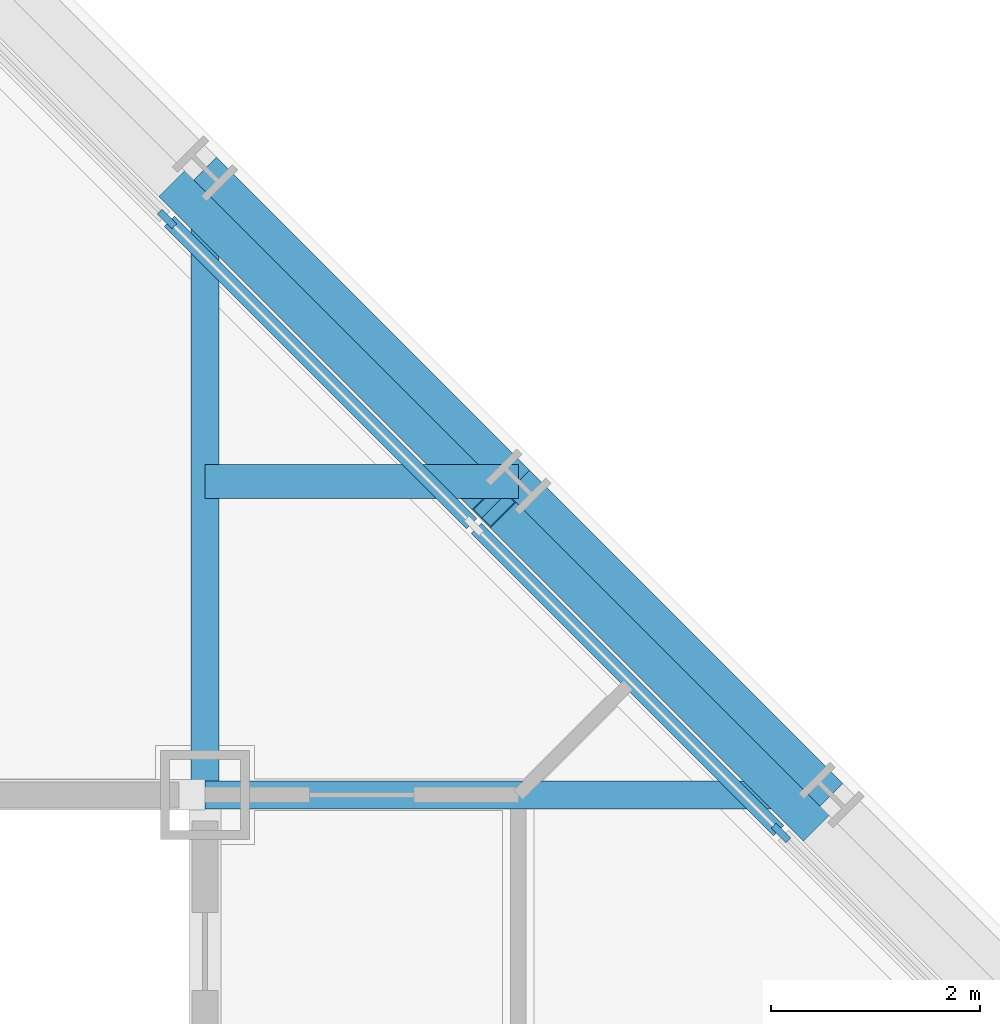
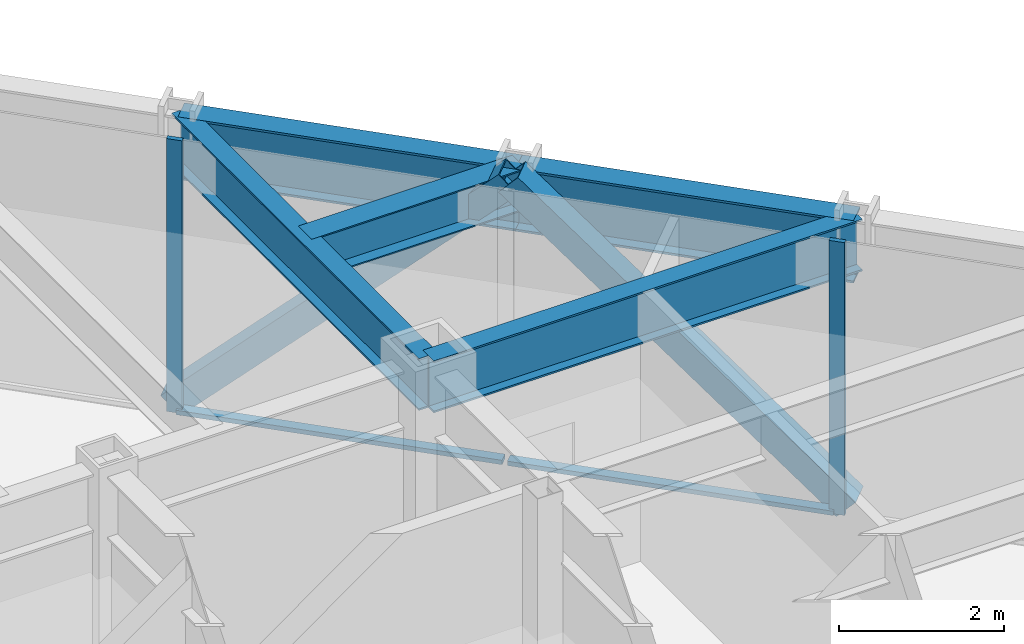
# One storey, part 9 of 16: 6 members, 5 beams, 1 element without a shape of its own.
"""IFC4 building model written with IfcOpenShell, lengths in metres."""

from ifc_helpers import new_model, si_unit, direction, frame, origin, origin_2d, place, context, subcontext, project, spatial, rectangle, hollow_rectangle, i_section, extrude, material, layer, layer_set, material_profile, profile_set, type_object, element, aggregate, save


model = new_model("IFC4")

# Units and contexts
model_context = context("Model", 3, precision=1e-05, world=origin(), true_north=direction((0.0, 1.0)))
body_context = subcontext(model_context, "Body", "Model", "MODEL_VIEW")
ifc_project = project(units=[si_unit("LENGTHUNIT", "METRE"), si_unit("AREAUNIT", "SQUARE_METRE"), si_unit("VOLUMEUNIT", "CUBIC_METRE"), si_unit("PLANEANGLEUNIT", "RADIAN"), si_unit("MASSUNIT", "GRAM", prefix="KILO")], contexts=[model_context])

# Site, building, storey
site_placement = place(None, origin())
site = spatial("IfcSite", under=ifc_project, at=site_placement, CompositionType="ELEMENT")
building_placement = place(site_placement, origin())
building = spatial("IfcBuilding", under=site, at=building_placement, Name="Chuquiago Exchange Tower", CompositionType="ELEMENT")
storey_placement = place(building_placement, frame((0.0, 0.0, 218.10009765625)))
storey = spatial("IfcBuildingStorey", under=building, at=storey_placement, Name="L48", CompositionType="ELEMENT", Elevation=218.10009765625)

# Beam
ifc_material_1 = material(Name="Steel ASTM A992", Category="steel")
ifc_material_profile_1 = material_profile(ifc_material_1, i_section(OverallWidth=0.3251953125, OverallDepth=0.612060546875, WebThickness=0.0126953125, FlangeThickness=0.01904296875, at=origin_2d()), Name="W24X104")
ifc_profile_set_1 = profile_set([ifc_material_profile_1], Name="Steel ASTM A992")
beam_type_1 = type_object("IfcBeamType", Name="B2 W24X104", PredefinedType="BEAM", material=ifc_profile_set_1)
beam_placement = place(storey_placement, frame((33.0, 36.0, 3.73388671875), z_axis=(1.0, 0.0, 0.0), x_axis=(0.0, 1.0, 0.0)))
element("IfcBeam", 1, at=beam_placement, inside=storey, type_object=beam_type_1, Name="FB-L49-corner-33_36-36_36-0", PredefinedType="BEAM", context=body_context, shape_type="SweptSolid", body=[
    extrude(i_section(OverallWidth=0.3251953125, OverallDepth=0.612060546875, WebThickness=0.0126953125, FlangeThickness=0.01904296875, at=origin_2d()), origin(), (0.0, 0.0, 1.0), 3.0),
])

# Curtain wall, members
ifc_material_2 = material(Name="Aluminium curtain wall system", Category="aluminium")
ifc_layer = layer(ifc_material_2, 0.199951171875)
ifc_layer_set = layer_set([ifc_layer], Name="CW3 facet curtain wall")
curtain_wall_type = type_object("IfcCurtainWallType", Name="CW3 facet curtain wall", PredefinedType="NOTDEFINED", material=ifc_layer_set)
curtain_wall_placement = place(storey_placement, origin())
curtain_wall = element("IfcCurtainWall", 2, at=curtain_wall_placement, inside=storey, type_object=curtain_wall_type, Name="CW3 curtain wall L48", PredefinedType="NOTDEFINED")
ifc_material_3 = material(Name="Aluminium mullion, pale anodised", Category="aluminium")
ifc_material_profile_2 = material_profile(ifc_material_3, rectangle(XDim=0.06494140625, YDim=0.199951171875, at=origin_2d()), Name="AL 65x200")
ifc_profile_set_2 = profile_set([ifc_material_profile_2], Name="Aluminium mullion, pale anodised")
member_type_1 = type_object("IfcMemberType", Name="CW3-M mullion 65x200", PredefinedType="MULLION", material=ifc_profile_set_2)
member_1_placement = place(storey_placement, frame((38.51708984375, 32.63427734375, 0.0), z_axis=(0.0, 0.0, 1.0), x_axis=(-0.707106781187, -0.707106781187, 0.0)))
member_1 = element("IfcMember", 3, at=member_1_placement, type_object=member_type_1, Name="CW3 mullion 3", PredefinedType="MULLION", context=body_context, shape_type="SweptSolid", body=[
    extrude(rectangle(XDim=0.06494140625, YDim=0.199951171875, at=origin_2d()), origin(), (0.0, 0.0, 1.0), 4.039794921875),
])
member_2_placement = place(storey_placement, frame((32.63427734375, 38.51708984375, 0.0), z_axis=(0.0, 0.0, 1.0), x_axis=(-0.707106781187, -0.707106781187, 0.0)))
member_2 = element("IfcMember", 4, at=member_2_placement, type_object=member_type_1, Name="CW3 mullion 5", PredefinedType="MULLION", context=body_context, shape_type="SweptSolid", body=[
    extrude(rectangle(XDim=0.06494140625, YDim=0.199951171875, at=origin_2d()), origin(), (0.0, 0.0, 1.0), 4.039794921875),
])
ifc_material_4 = material(Name="Aluminium transom, pale anodised", Category="aluminium")
ifc_material_profile_3 = material_profile(ifc_material_4, rectangle(XDim=0.139892578125, YDim=0.06494140625, at=origin_2d()), Name="AL 140x65")
ifc_profile_set_3 = profile_set([ifc_material_profile_3], Name="Aluminium transom, pale anodised")
member_type_2 = type_object("IfcMemberType", Name="CW3-T transom 65x140", PredefinedType="MULLION", material=ifc_profile_set_3)
member_3_placement = place(storey_placement, frame((38.494140625, 32.6572265625, 0.032470703125), z_axis=(-0.707106781187, 0.707106781187, 0.0), x_axis=(-0.707106781187, -0.707106781187, 0.0)))
member_3 = element("IfcMember", 5, at=member_3_placement, type_object=member_type_2, Name="CW3 transom 3.1", PredefinedType="MULLION", context=body_context, shape_type="SweptSolid", body=[
    extrude(rectangle(XDim=0.139892578125, YDim=0.06494140625, at=origin_2d()), origin(), (0.0, 0.0, 1.0), 4.094970703125),
])
member_4_placement = place(storey_placement, frame((35.552734375, 35.5986328125, 0.032470703125), z_axis=(-0.707106781187, 0.707106781187, 0.0), x_axis=(-0.707106781187, -0.707106781187, 0.0)))
member_4 = element("IfcMember", 6, at=member_4_placement, type_object=member_type_2, Name="CW3 transom 4.1", PredefinedType="MULLION", context=body_context, shape_type="SweptSolid", body=[
    extrude(rectangle(XDim=0.139892578125, YDim=0.06494140625, at=origin_2d()), origin(), (0.0, 0.0, 1.0), 4.094970703125),
])
aggregate(curtain_wall, [member_1, member_2, member_3, member_4])

# Beams
ifc_material_5 = material(Name="Steel ASTM A992", Category="steel")
ifc_material_profile_4 = material_profile(ifc_material_5, i_section(OverallWidth=0.2666015625, OverallDepth=0.76953125, WebThickness=0.015625, FlangeThickness=0.025390625, at=origin_2d()), Name="W30X132")
ifc_profile_set_4 = profile_set([ifc_material_profile_4], Name="Steel ASTM A992")
beam_type_2 = type_object("IfcBeamType", Name="G1 W30X132", PredefinedType="BEAM", material=ifc_profile_set_4)
for number, where, z_axis, x_axis, name in (
    (7, (33.0, 33.0, 3.655029296875), (0.0, 1.0, 0.0), (-1.0, 0.0, 0.0), "FB-L49-girder-33_33-33_39-0"),
    (8, (33.0, 33.0, 3.655029296875), (1.0, 0.0, 0.0), (0.0, 1.0, 0.0), "FB-L49-girder-33_33-39_33-0"),
):
    element("IfcBeam", number, at=place(storey_placement, frame(where, z_axis=z_axis, x_axis=x_axis)), inside=storey, type_object=beam_type_2, Name=name, PredefinedType="BEAM", context=body_context, shape_type="SweptSolid", body=[
        extrude(i_section(OverallWidth=0.2666015625, OverallDepth=0.76953125, WebThickness=0.015625, FlangeThickness=0.025390625, at=origin_2d()), origin(), (0.0, 0.0, 1.0), 6.0),
    ])

# Members
ifc_material_6 = material(Name="Steel ASTM A500 Grade C", Category="steel")
ifc_material_profile_5 = material_profile(ifc_material_6, hollow_rectangle(XDim=0.355712890625, YDim=0.355712890625, WallThickness=0.0146484375, at=origin_2d()), Name="HSS14X14X5/8")
ifc_profile_set_5 = profile_set([ifc_material_profile_5], Name="Steel ASTM A500 Grade C")
member_type_3 = type_object("IfcMemberType", Name="LB2 HSS14X14X5/8", PredefinedType="BRACE", material=ifc_profile_set_5)
for number, where, z_axis, x_axis, name in (
    (9, (38.7685546875, 32.7685546875, 0.0), (-0.51209198167, 0.51209198167, 0.689582195694), (-0.707106781187, -0.707106781187, 0.0), "LB-L48-39_33-36_36"),
    (10, (32.7685546875, 38.7685546875, 0.0), (0.51209198167, -0.51209198167, 0.689582195694), (0.707106781187, 0.707106781187, 0.0), "LB-L48-36_36-33_39"),
):
    element("IfcMember", number, at=place(storey_placement, frame(where, z_axis=z_axis, x_axis=x_axis)), inside=storey, type_object=member_type_3, Name=name, PredefinedType="BRACE", context=body_context, shape_type="SweptSolid", body=[
        extrude(hollow_rectangle(XDim=0.355712890625, YDim=0.355712890625, WallThickness=0.0146484375, at=origin_2d()), origin(), (0.0, 0.0, 1.0), 5.8583984375),
    ])

# Beams
ifc_material_7 = material(Name="Steel ASTM A992", Category="steel")
ifc_material_profile_6 = material_profile(ifc_material_7, i_section(OverallWidth=0.307373046875, OverallDepth=0.927001953125, WebThickness=0.01953125, FlangeThickness=0.031982421875, at=origin_2d()), Name="W36X194")
ifc_profile_set_6 = profile_set([ifc_material_profile_6], Name="Steel ASTM A992")
beam_type_3 = type_object("IfcBeamType", Name="SP3 W36X194", PredefinedType="SPANDREL", material=ifc_profile_set_6)
for number, where, z_axis, x_axis, name in (
    (11, (39.0, 33.0, 3.576416015625), (-0.707106781187, 0.707106781187, 0.0), (-0.707106781187, -0.707106781187, 0.0), "SPB-L49-39_33-36_36"),
    (12, (36.0, 36.0, 3.576416015625), (-0.707106781187, 0.707106781187, 0.0), (-0.707106781187, -0.707106781187, 0.0), "SPB-L49-36_36-33_39"),
):
    element("IfcBeam", number, at=place(storey_placement, frame(where, z_axis=z_axis, x_axis=x_axis)), inside=storey, type_object=beam_type_3, Name=name, PredefinedType="SPANDREL", context=body_context, shape_type="SweptSolid", body=[
        extrude(i_section(OverallWidth=0.307373046875, OverallDepth=0.927001953125, WebThickness=0.01953125, FlangeThickness=0.031982421875, at=origin_2d()), origin(), (0.0, 0.0, 1.0), 4.24267578125),
    ])

save(model, "model.ifc")
